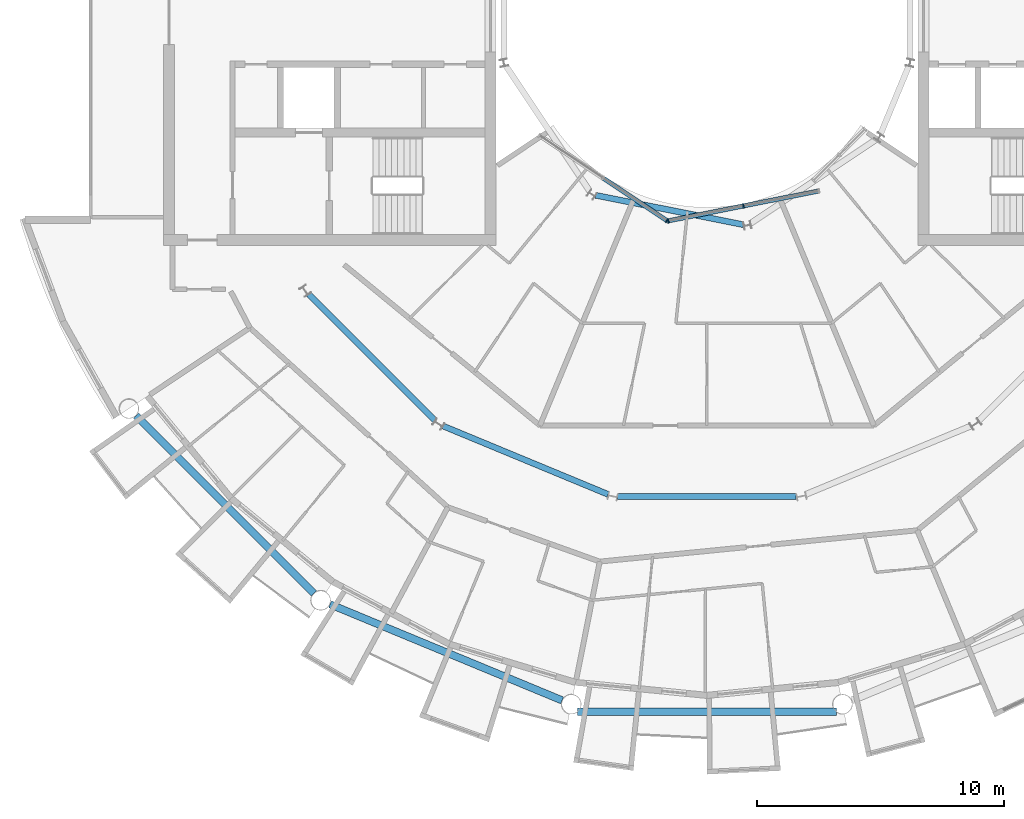
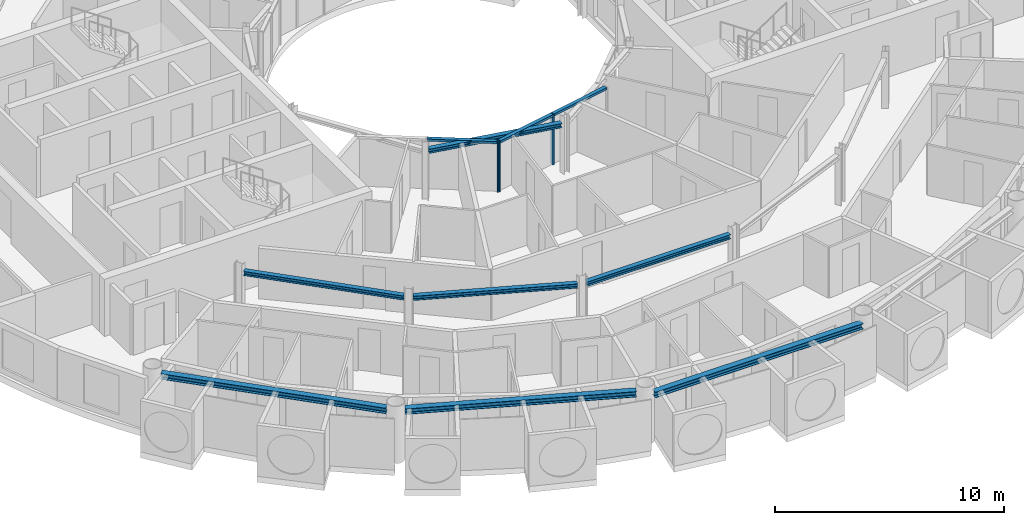
# One storey, part 6 of 29: 7 beams, 6 members, 2 elements without a shape of their own.
"""IFC4 building model written with IfcOpenShell, lengths in metres."""

from ifc_helpers import new_model, si_unit, direction, frame, origin, origin_2d, place, context, subcontext, project, spatial, rectangle, i_section, extrude, material, layer, layer_set, material_profile, profile_set, type_object, element, aggregate, save


model = new_model("IFC4")

# Units and contexts
model_context = context("Model", 3, precision=1e-05, world=origin(), true_north=direction((0.0, 1.0)))
body_context = subcontext(model_context, "Body", "Model", "MODEL_VIEW")
ifc_project = project(units=[si_unit("LENGTHUNIT", "METRE"), si_unit("AREAUNIT", "SQUARE_METRE"), si_unit("VOLUMEUNIT", "CUBIC_METRE"), si_unit("PLANEANGLEUNIT", "RADIAN"), si_unit("MASSUNIT", "GRAM", prefix="KILO")], contexts=[model_context])

# Site, building, storey
site_placement = place(None, origin())
site = spatial("IfcSite", under=ifc_project, at=site_placement, CompositionType="ELEMENT")
building_placement = place(site_placement, origin())
building = spatial("IfcBuilding", under=site, at=building_placement, Name="Maasbend Ring Residences", CompositionType="ELEMENT")
storey_placement = place(building_placement, frame((0.0, 0.0, 205.449951171875)))
storey = spatial("IfcBuildingStorey", under=building, at=storey_placement, Name="L59", CompositionType="ELEMENT", Elevation=205.449951171875)

# Curtain wall, member
ifc_material_1 = material(Name="Aluminium and clear glass", Category="aluminium")
ifc_layer = layer(ifc_material_1, 0.179931640625)
ifc_layer_set = layer_set([ifc_layer], Name="CW-W")
curtain_wall_type = type_object("IfcCurtainWallType", Name="CW-W", PredefinedType="NOTDEFINED", material=ifc_layer_set)
curtain_wall_1_placement = place(storey_placement, origin())
curtain_wall_1 = element("IfcCurtainWall", 1, at=curtain_wall_1_placement, inside=storey, type_object=curtain_wall_type, Name="Well curtain wall S1", PredefinedType="NOTDEFINED")
ifc_material_2 = material(Name="Aluminium 6063-T6", Category="aluminium")
ifc_material_profile_1 = material_profile(ifc_material_2, rectangle(XDim=0.179931640625, YDim=0.06005859375, at=origin_2d()), Name="AL 180x60")
ifc_profile_set_1 = profile_set([ifc_material_profile_1], Name="Aluminium 6063-T6")
member_type_1 = type_object("IfcMemberType", Name="CWM-W", PredefinedType="MULLION", material=ifc_profile_set_1)
member_1_placement = place(storey_placement, frame((-1.627685546875, -8.040771484375, 0.0), z_axis=(0.0, 0.0, 1.0), x_axis=(0.55557023302, 0.831469612303, 0.0)))
member_1 = element("IfcMember", 2, at=member_1_placement, type_object=member_type_1, Name="Mullion well face", PredefinedType="MULLION", context=body_context, shape_type="SweptSolid", body=[
    extrude(rectangle(XDim=0.179931640625, YDim=0.06005859375, at=origin_2d()), origin(), (0.0, 0.0, 1.0), 2.699951171875),
])

# Curtain wall, members
curtain_wall_2_placement = place(storey_placement, origin())
curtain_wall_2 = element("IfcCurtainWall", 3, at=curtain_wall_2_placement, inside=storey, type_object=curtain_wall_type, Name="Well curtain wall S2", PredefinedType="NOTDEFINED")
member_2_placement = place(storey_placement, frame((-1.5732421875, -8.0517578125, 0.0), z_axis=(0.0, 0.0, 1.0), x_axis=(-0.195090322016, 0.980785280403, 0.0)))
member_2 = element("IfcMember", 4, at=member_2_placement, type_object=member_type_1, Name="Mullion well face", PredefinedType="MULLION", context=body_context, shape_type="SweptSolid", body=[
    extrude(rectangle(XDim=0.179931640625, YDim=0.06005859375, at=origin_2d()), origin(), (0.0, 0.0, 1.0), 2.699951171875),
])
member_3_placement = place(storey_placement, frame((1.480712890625, -7.444091796875, 0.0), z_axis=(0.0, 0.0, 1.0), x_axis=(-0.195090322016, 0.980785280403, 0.0)))
member_3 = element("IfcMember", 5, at=member_3_placement, type_object=member_type_1, Name="Mullion well face", PredefinedType="MULLION", context=body_context, shape_type="SweptSolid", body=[
    extrude(rectangle(XDim=0.179931640625, YDim=0.06005859375, at=origin_2d()), origin(), (0.0, 0.0, 1.0), 2.699951171875),
])

# Member
ifc_material_3 = material(Name="Aluminium 6063-T6", Category="aluminium")
ifc_material_profile_2 = material_profile(ifc_material_3, rectangle(XDim=0.179931640625, YDim=0.1201171875, at=origin_2d()), Name="AL 180x120")
ifc_profile_set_2 = profile_set([ifc_material_profile_2], Name="Aluminium 6063-T6")
member_type_2 = type_object("IfcMemberType", Name="CWT-W", PredefinedType="USERDEFINED", material=ifc_profile_set_2)
member_4_placement = place(storey_placement, frame((-4.19189453125, -6.32763671875, 2.64013671875), z_axis=(0.831496422459, -0.555530106689, 0.0), x_axis=(0.555530106689, 0.831496422459, 0.0)))
member_4 = element("IfcMember", 6, at=member_4_placement, type_object=member_type_2, Name="Transom well face", ObjectType="TRANSOM", PredefinedType="USERDEFINED", context=body_context, shape_type="SweptSolid", body=[
    extrude(rectangle(XDim=0.179931640625, YDim=0.1201171875, at=origin_2d()), origin(), (0.0, 0.0, 1.0), 3.053955078125),
])

aggregate(curtain_wall_1, [member_1, member_4])

member_5_placement = place(storey_placement, frame((-1.5439453125, -8.0458984375, 2.64013671875), z_axis=(0.980776956105, 0.195132166424, 0.0), x_axis=(-0.195132166424, 0.980776956105, 0.0)))
member_5 = element("IfcMember", 7, at=member_5_placement, type_object=member_type_2, Name="Transom well face", ObjectType="TRANSOM", PredefinedType="USERDEFINED", context=body_context, shape_type="SweptSolid", body=[
    extrude(rectangle(XDim=0.179931640625, YDim=0.1201171875, at=origin_2d()), origin(), (0.0, 0.0, 1.0), 3.053955078125),
])

member_6_placement = place(storey_placement, frame((1.51025390625, -7.438232421875, 2.64013671875), z_axis=(0.980789210404, 0.19507056353, 0.0), x_axis=(-0.19507056353, 0.980789210404, 0.0)))
member_6 = element("IfcMember", 8, at=member_6_placement, type_object=member_type_2, Name="Transom well face", ObjectType="TRANSOM", PredefinedType="USERDEFINED", context=body_context, shape_type="SweptSolid", body=[
    extrude(rectangle(XDim=0.179931640625, YDim=0.1201171875, at=origin_2d()), origin(), (0.0, 0.0, 1.0), 3.0537109375),
])

aggregate(curtain_wall_2, [member_2, member_3, member_5, member_6])

# Beams
ifc_material_4 = material(Name="Steel S355J2", Category="steel")
ifc_material_profile_3 = material_profile(ifc_material_4, i_section(OverallWidth=0.239990234375, OverallDepth=0.22998046875, WebThickness=0.007568359375, FlangeThickness=0.011962890625, FilletRadius=0.02099609375, at=origin_2d()), Name="HEA 240")
ifc_profile_set_3 = profile_set([ifc_material_profile_3], Name="Steel S355J2")
beam_type_1 = type_object("IfcBeamType", Name="Corridor ring beam HEA 240", PredefinedType="BEAM", material=ifc_profile_set_3)
beam_1_placement = place(storey_placement, frame((-16.152587890625, -11.033447265625, 2.5849609375), z_axis=(0.707106781187, -0.707106781187, 0.0), x_axis=(0.707106781187, 0.707106781187, 0.0)))
element("IfcBeam", 9, at=beam_1_placement, inside=storey, type_object=beam_type_1, Name="Corridor ring beam", PredefinedType="BEAM", context=body_context, shape_type="SweptSolid", body=[
    extrude(i_section(OverallWidth=0.239990234375, OverallDepth=0.22998046875, WebThickness=0.007568359375, FlangeThickness=0.011962890625, FilletRadius=0.02099609375, at=origin_2d()), origin(), (0.0, 0.0, 1.0), 7.239501953125),
])
for number, where, z_axis, x_axis, name in (
    (10, (-10.70068359375, -16.374755859375, 2.5849609375), (0.923865162022, -0.382718123952, 0.0), (0.382718123952, 0.923865162022, 0.0), "Corridor ring beam"),
    (11, (-3.619873046875, -19.223388671875, 2.5849609375), (1.0, 0.0, 0.0), (0.0, 1.0, 0.0), "Corridor ring beam"),
):
    element("IfcBeam", number, at=place(storey_placement, frame(where, z_axis=z_axis, x_axis=x_axis)), inside=storey, type_object=beam_type_1, Name=name, PredefinedType="BEAM", context=body_context, shape_type="SweptSolid", body=[
        extrude(i_section(OverallWidth=0.239990234375, OverallDepth=0.22998046875, WebThickness=0.007568359375, FlangeThickness=0.011962890625, FilletRadius=0.02099609375, at=origin_2d()), origin(), (0.0, 0.0, 1.0), 7.23974609375),
    ])
ifc_material_5 = material(Name="Steel S355J2", Category="steel")
ifc_material_profile_4 = material_profile(ifc_material_5, i_section(OverallWidth=0.300048828125, OverallDepth=0.300048828125, WebThickness=0.010986328125, FlangeThickness=0.01904296875, FilletRadius=0.027099609375, at=origin_2d()), Name="HEB 300")
ifc_profile_set_4 = profile_set([ifc_material_profile_4], Name="Steel S355J2")
beam_type_2 = type_object("IfcBeamType", Name="Spandrel ring beam HEB 300", PredefinedType="SPANDREL", material=ifc_profile_set_4)
for number, where, z_axis, x_axis, name in (
    (12, (-23.159912109375, -15.95458984375, 2.550048828125), (0.707106781187, -0.707106781187, 0.0), (0.707106781187, 0.707106781187, 0.0), "Spandrel ring beam"),
    (13, (-15.29150390625, -23.60302734375, 2.550048828125), (0.923883676188, -0.382673428492, 0.0), (0.382673428492, 0.923883676188, 0.0), "Spandrel ring beam"),
):
    element("IfcBeam", number, at=place(storey_placement, frame(where, z_axis=z_axis, x_axis=x_axis)), inside=storey, type_object=beam_type_2, Name=name, PredefinedType="SPANDREL", context=body_context, shape_type="SweptSolid", body=[
        extrude(i_section(OverallWidth=0.300048828125, OverallDepth=0.300048828125, WebThickness=0.010986328125, FlangeThickness=0.01904296875, FilletRadius=0.027099609375, at=origin_2d()), origin(), (0.0, 0.0, 1.0), 10.18994140625),
    ])
beam_2_placement = place(storey_placement, frame((-5.2451171875, -27.9580078125, 2.550048828125), z_axis=(1.0, 0.0, 0.0), x_axis=(0.0, 1.0, 0.0)))
element("IfcBeam", 14, at=beam_2_placement, inside=storey, type_object=beam_type_2, Name="Spandrel ring beam", PredefinedType="SPANDREL", context=body_context, shape_type="SweptSolid", body=[
    extrude(i_section(OverallWidth=0.300048828125, OverallDepth=0.300048828125, WebThickness=0.010986328125, FlangeThickness=0.01904296875, FilletRadius=0.027099609375, at=origin_2d()), origin(), (0.0, 0.0, 1.0), 10.490234375),
])
ifc_material_6 = material(Name="Steel S355J2", Category="steel")
ifc_material_profile_5 = material_profile(ifc_material_6, i_section(OverallWidth=0.239990234375, OverallDepth=0.22998046875, WebThickness=0.007568359375, FlangeThickness=0.011962890625, FilletRadius=0.02099609375, at=origin_2d()), Name="HEA 240")
ifc_profile_set_5 = profile_set([ifc_material_profile_5], Name="Steel S355J2")
beam_type_3 = type_object("IfcBeamType", Name="Well edge beam HEA 240", PredefinedType="BEAM", material=ifc_profile_set_5)
beam_3_placement = place(storey_placement, frame((-4.512939453125, -7.014892578125, 2.5849609375), z_axis=(0.980782836869, -0.195102606089, 0.0), x_axis=(0.195102606089, 0.980782836869, 0.0)))
element("IfcBeam", 15, at=beam_3_placement, inside=storey, type_object=beam_type_3, Name="Well edge beam", PredefinedType="BEAM", context=body_context, shape_type="SweptSolid", body=[
    extrude(i_section(OverallWidth=0.239990234375, OverallDepth=0.22998046875, WebThickness=0.007568359375, FlangeThickness=0.011962890625, FilletRadius=0.02099609375, at=origin_2d()), origin(), (0.0, 0.0, 1.0), 6.115234375),
])

save(model, "model.ifc")
